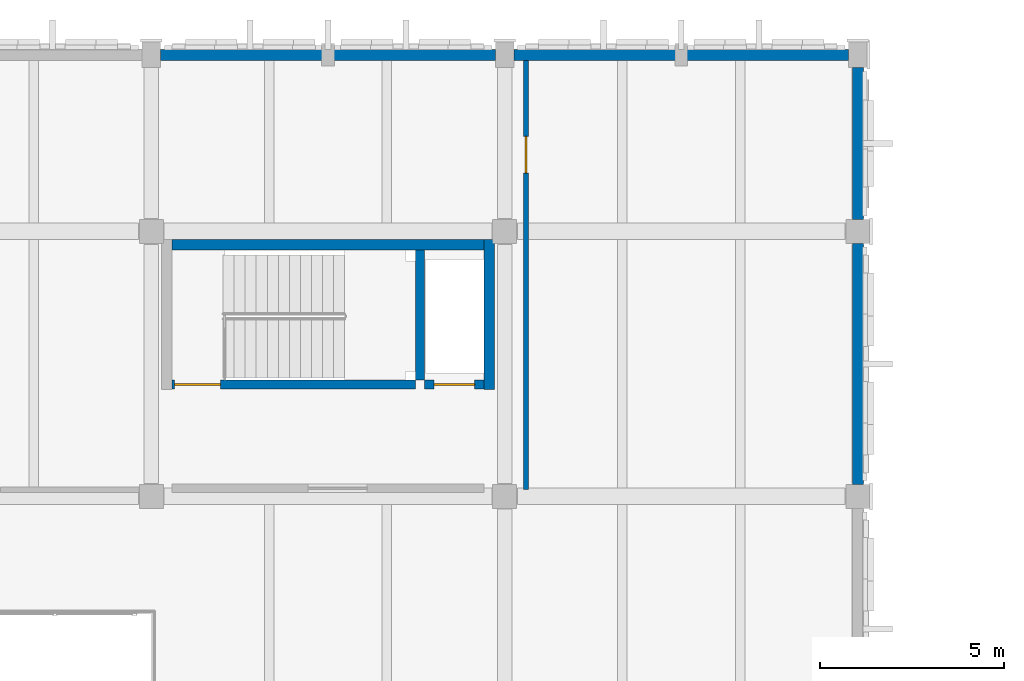
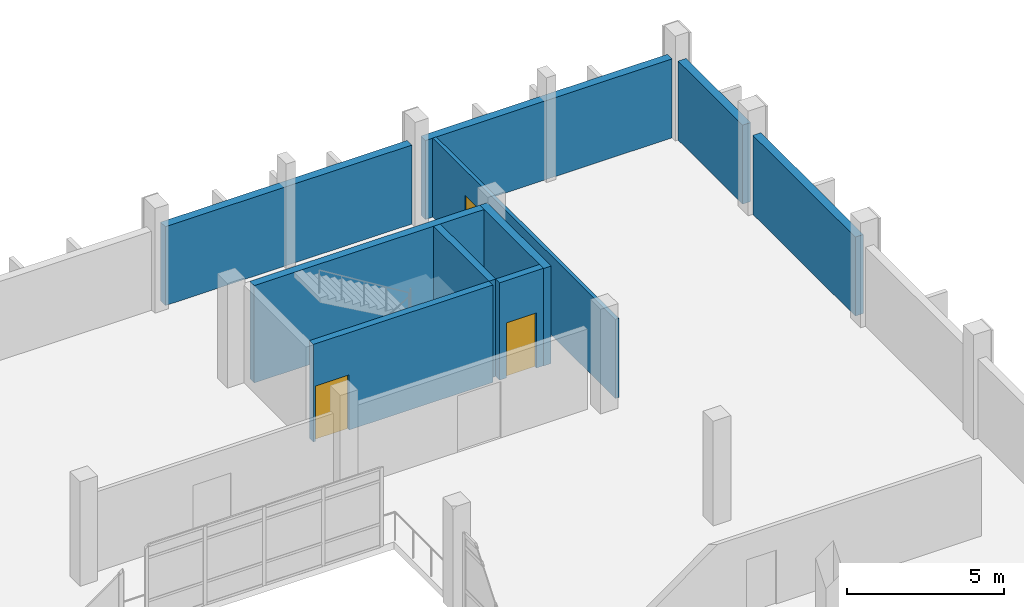
# One storey, part 57 of 72: 10 walls, 3 doors, 3 openings.
"""IFC4 building model written with IfcOpenShell, lengths in metres."""

from ifc_helpers import new_model, si_unit, direction, frame, frame_2d, origin, place, context, subcontext, project, spatial, rectangle, extrude, material, layer, layer_set, type_object, element, fill, save


model = new_model("IFC4")

# Units and contexts
model_context = context("Model", 3, precision=1e-05, world=origin(), true_north=direction((0.0, 1.0)))
body_context = subcontext(model_context, "Body", "Model", "MODEL_VIEW")
ifc_project = project(units=[si_unit("LENGTHUNIT", "METRE"), si_unit("AREAUNIT", "SQUARE_METRE"), si_unit("VOLUMEUNIT", "CUBIC_METRE"), si_unit("PLANEANGLEUNIT", "RADIAN"), si_unit("MASSUNIT", "GRAM", prefix="KILO")], contexts=[model_context])

# Site, building, storey
site_placement = place(None, origin())
site = spatial("IfcSite", under=ifc_project, at=site_placement, CompositionType="ELEMENT")
building_placement = place(site_placement, origin())
building = spatial("IfcBuilding", under=site, at=building_placement, Name="Asteropetra Specialist Clinic", CompositionType="ELEMENT")
storey_placement = place(building_placement, frame((0.0, 0.0, 12.580078125)))
storey = spatial("IfcBuildingStorey", under=building, at=storey_placement, Name="L03", CompositionType="ELEMENT", Elevation=12.580078125)

# Walls
ifc_material_1 = material(Name="Chevron terracotta mid", Category="masonry")
ifc_layer_1 = layer(ifc_material_1, 0.300048828125)
ifc_layer_set_1 = layer_set([ifc_layer_1], Name="Chevron terracotta mid")
wall_type_1 = type_object("IfcWallType", Name="EW-CHEV-TER-300", PredefinedType="SOLIDWALL", material=ifc_layer_set_1)
wall_1_placement = place(storey_placement, frame((38.14990234375, 110.39990234375, 0.0), z_axis=(0.0, 0.0, 1.0), x_axis=(-1.0, 0.0, 0.0)))
element("IfcWall", 1, at=wall_1_placement, inside=storey, type_object=wall_type_1, Name="Exterior Wall EW-0112", PredefinedType="SOLIDWALL", context=body_context, shape_type="SweptSolid", body=[
    extrude(rectangle(XDim=9.099853515625, YDim=0.300048828125, at=frame_2d((4.5498046875, 0.0))), origin(), (0.0, 0.0, 1.0), 3.079833984375),
])
wall_2_placement = place(storey_placement, frame((47.75, 110.39990234375, 0.0), z_axis=(0.0, 0.0, 1.0), x_axis=(-1.0, 0.0, 0.0)))
element("IfcWall", 2, at=wall_2_placement, inside=storey, type_object=wall_type_1, Name="Exterior Wall EW-0114", PredefinedType="SOLIDWALL", context=body_context, shape_type="SweptSolid", body=[
    extrude(rectangle(XDim=9.10009765625, YDim=0.300048828125, at=frame_2d((4.550048828125, 0.0))), origin(), (0.0, 0.0, 1.0), 3.079833984375),
])
wall_3_placement = place(storey_placement, frame((48.0, 98.72509765625, 0.0), z_axis=(0.0, 0.0, 1.0), x_axis=(0.0, 1.0, 0.0)))
element("IfcWall", 3, at=wall_3_placement, inside=storey, type_object=wall_type_1, Name="Exterior Wall EW-0124", PredefinedType="SOLIDWALL", context=body_context, shape_type="SweptSolid", body=[
    extrude(rectangle(XDim=6.5498046875, YDim=0.300048828125, at=frame_2d((3.27490234375, 0.0))), origin(), (0.0, 0.0, 1.0), 3.079833984375),
])
wall_4_placement = place(storey_placement, frame((48.0, 105.925048828125, 0.0), z_axis=(0.0, 0.0, 1.0), x_axis=(0.0, 1.0, 0.0)))
element("IfcWall", 4, at=wall_4_placement, inside=storey, type_object=wall_type_1, Name="Exterior Wall EW-0126", PredefinedType="SOLIDWALL", context=body_context, shape_type="SweptSolid", body=[
    extrude(rectangle(XDim=4.125, YDim=0.300048828125, at=frame_2d((2.0625, 0.0))), origin(), (0.0, 0.0, 1.0), 3.079833984375),
])
ifc_material_2 = material(Name="Concrete C35/45", Category="concrete")
ifc_layer_2 = layer(ifc_material_2, 0.280029296875)
ifc_layer_set_2 = layer_set([ifc_layer_2], Name="Concrete C35/45")
wall_type_2 = type_object("IfcWallType", Name="W-CORE-280", PredefinedType="SHEAR", material=ifc_layer_set_2)
wall_5_placement = place(storey_placement, frame((37.97998046875, 101.300048828125, 0.0), z_axis=(0.0, 0.0, 1.0), x_axis=(0.0, 1.0, 0.0)))
element("IfcWall", 5, at=wall_5_placement, inside=storey, type_object=wall_type_2, Name="Core Wall CW-C2-L03-E", PredefinedType="SHEAR", context=body_context, shape_type="SweptSolid", body=[
    extrude(rectangle(XDim=4.079833984375, YDim=0.280029296875, at=frame_2d((2.0400390625, 0.0))), origin(), (0.0, 0.0, 1.0), 3.7998046875),
])
wall_6_placement = place(storey_placement, frame((29.35498046875, 105.239990234375, 0.0), z_axis=(0.0, 0.0, 1.0), x_axis=(1.0, 0.0, 0.0)))
element("IfcWall", 6, at=wall_6_placement, inside=storey, type_object=wall_type_2, Name="Core Wall CW-C2-L03-BACK", PredefinedType="SHEAR", context=body_context, shape_type="SweptSolid", body=[
    extrude(rectangle(XDim=8.489990234375, YDim=0.280029296875, at=frame_2d((4.2451171875, 0.0))), origin(), (0.0, 0.0, 1.0), 3.7998046875),
])

# Wall, opening, door
ifc_material_3 = material(Name="Office and seminar partition", Category="masonry")
ifc_layer_3 = layer(ifc_material_3, 0.1298828125)
ifc_layer_set_3 = layer_set([ifc_layer_3], Name="Office and seminar partition")
wall_type_3 = type_object("IfcWallType", Name="W-PART-130", PredefinedType="PARTITIONING", material=ifc_layer_set_3)
wall_7_placement = place(storey_placement, frame((38.97998046875, 98.580078125, 0.0), z_axis=(0.0, 0.0, 1.0), x_axis=(0.0, 1.0, 0.0)))
wall_7 = element("IfcWall", 7, at=wall_7_placement, inside=storey, type_object=wall_type_3, Name="Interior Partition PW-0153", PredefinedType="PARTITIONING", context=body_context, shape_type="SweptSolid", body=[
    extrude(rectangle(XDim=11.66796875, YDim=0.1298828125, at=frame_2d((5.833984375, 0.0))), origin(), (0.0, 0.0, 1.0), 3.08984375),
])
opening_1_placement = place(wall_7_placement, frame((8.60107421875, 0.0, 0.0)))
opening_1 = element("IfcOpeningElement", 8, at=opening_1_placement, cuts=wall_7, Name="Opening ID-0101", PredefinedType="OPENING", context=body_context, shape_type="SweptSolid", body=[
    extrude(rectangle(XDim=1.0, YDim=2.10009765625, at=frame_2d((0.5, 1.050048828125))), frame((0.0, 0.074951171875, 0.0), z_axis=(0.0, -1.0, 0.0), x_axis=(1.0, 0.0, 0.0)), (0.0, 0.0, 1.0), 0.14990234375),
])
ifc_material_4 = material(Name="Antimicrobial laminate timber leaf in steel frame", Category="steel")
door_type_1 = type_object("IfcDoorType", Name="ID-CONS-1000", OperationType="SINGLE_SWING_RIGHT", PredefinedType="DOOR", material=ifc_material_4)
door_1_placement = place(opening_1_placement, origin())
door_1 = element("IfcDoor", 9, at=door_1_placement, inside=storey, type_object=door_type_1, Name="Interior Door ID-0101", OperationType="SINGLE_SWING_RIGHT", OverallHeight=2.10009765625, OverallWidth=1.0, PredefinedType="DOOR", context=body_context, shape_type="SweptSolid", body=[
    extrude(rectangle(XDim=1.0, YDim=2.10009765625, at=frame_2d((0.5, 1.050048828125))), frame((0.0, 0.02490234375, 0.0), z_axis=(0.0, -1.0, 0.0), x_axis=(1.0, 0.0, 0.0)), (0.0, 0.0, 1.0), 0.050048828125),
])
fill(opening_1, door_1)

# Wall
ifc_material_5 = material(Name="Concrete C35/45", Category="concrete")
ifc_layer_4 = layer(ifc_material_5, 0.25)
ifc_layer_set_4 = layer_set([ifc_layer_4], Name="Concrete C35/45")
wall_type_4 = type_object("IfcWallType", Name="W-SHAFT-250", PredefinedType="SHEAR", material=ifc_layer_set_4)
wall_8_placement = place(storey_placement, frame((36.10009765625, 101.56005859375, 0.0), z_axis=(0.0, 0.0, 1.0), x_axis=(0.0, 1.0, 0.0)))
element("IfcWall", 10, at=wall_8_placement, inside=storey, type_object=wall_type_4, Name="Core Wall CW-C2-L03-MID", PredefinedType="SHEAR", context=body_context, shape_type="SweptSolid", body=[
    extrude(rectangle(XDim=3.5400390625, YDim=0.25, at=frame_2d((1.77001953125, 0.0))), origin(), (0.0, 0.0, 1.0), 3.7998046875),
])

# Wall, opening, door
wall_9_placement = place(storey_placement, frame((29.35498046875, 101.43994140625, 0.0), z_axis=(0.0, 0.0, 1.0), x_axis=(1.0, 0.0, 0.0)))
wall_9 = element("IfcWall", 11, at=wall_9_placement, inside=storey, type_object=wall_type_4, Name="Core Wall CW-C2-L03-STDIV", PredefinedType="SHEAR", context=body_context, shape_type="SweptSolid", body=[
    extrude(rectangle(XDim=6.625, YDim=0.25, at=frame_2d((3.3125, 0.0))), origin(), (0.0, 0.0, 1.0), 3.7998046875),
])
opening_2_placement = place(wall_9_placement, frame((0.080078125, 0.0, 0.0)))
opening_2 = element("IfcOpeningElement", 12, at=opening_2_placement, cuts=wall_9, Name="Opening FD-019", PredefinedType="OPENING", context=body_context, shape_type="SweptSolid", body=[
    extrude(rectangle(XDim=1.239990234375, YDim=2.14990234375, at=frame_2d((0.6201171875, 1.074951171875))), frame((0.0, 0.135009765625, 0.0), z_axis=(0.0, -1.0, 0.0), x_axis=(1.0, 0.0, 0.0)), (0.0, 0.0, 1.0), 0.27001953125),
])
ifc_material_6 = material(Name="Fire-rated steel and vision glass door", Category="steel")
door_type_2 = type_object("IfcDoorType", Name="FD-STAIR-1400", OperationType="DOUBLE_DOOR_SINGLE_SWING", PredefinedType="DOOR", material=ifc_material_6)
door_2_placement = place(opening_2_placement, origin())
door_2 = element("IfcDoor", 13, at=door_2_placement, inside=storey, type_object=door_type_2, Name="Stair Fire Door FD-019", OperationType="DOUBLE_DOOR_SINGLE_SWING", OverallHeight=2.14990234375, OverallWidth=1.239990234375, PredefinedType="DOOR", context=body_context, shape_type="SweptSolid", body=[
    extrude(rectangle(XDim=1.239990234375, YDim=2.14990234375, at=frame_2d((0.6201171875, 1.074951171875))), frame((0.0, 0.02490234375, 0.0), z_axis=(0.0, -1.0, 0.0), x_axis=(1.0, 0.0, 0.0)), (0.0, 0.0, 1.0), 0.050048828125),
])
fill(opening_2, door_2)

wall_10_placement = place(storey_placement, frame((36.219970703125, 101.43994140625, 0.0), z_axis=(0.0, 0.0, 1.0), x_axis=(1.0, 0.0, 0.0)))
wall_10 = element("IfcWall", 14, at=wall_10_placement, inside=storey, type_object=wall_type_4, Name="Lift Shaft Front Wall CW-C2-L03-LFTF", PredefinedType="SHEAR", context=body_context, shape_type="SweptSolid", body=[
    extrude(rectangle(XDim=1.625, YDim=0.25, at=frame_2d((0.8125, 0.0))), origin(), (0.0, 0.0, 1.0), 3.7998046875),
])
opening_3_placement = place(wall_10_placement, frame((0.262451171875, 0.0, 0.0)))
opening_3 = element("IfcOpeningElement", 15, at=opening_3_placement, cuts=wall_10, Name="Opening LD-010", PredefinedType="OPENING", context=body_context, shape_type="SweptSolid", body=[
    extrude(rectangle(XDim=1.10009765625, YDim=2.14990234375, at=frame_2d((0.550048828125, 1.074951171875))), frame((0.0, 0.135009765625, 0.0), z_axis=(0.0, -1.0, 0.0), x_axis=(1.0, 0.0, 0.0)), (0.0, 0.0, 1.0), 0.27001953125),
])
ifc_material_7 = material(Name="Brushed stainless steel sliding lift landing door", Category="steel")
door_type_3 = type_object("IfcDoorType", Name="LD-PASS-1100", OperationType="DOUBLE_DOOR_SLIDING", PredefinedType="DOOR", material=ifc_material_7)
door_3_placement = place(opening_3_placement, origin())
door_3 = element("IfcDoor", 16, at=door_3_placement, inside=storey, type_object=door_type_3, Name="Lift Landing Door LD-010", OperationType="DOUBLE_DOOR_SLIDING", OverallHeight=2.14990234375, OverallWidth=1.10009765625, PredefinedType="DOOR", context=body_context, shape_type="SweptSolid", body=[
    extrude(rectangle(XDim=1.10009765625, YDim=2.14990234375, at=frame_2d((0.550048828125, 1.074951171875))), frame((0.0, 0.02490234375, 0.0), z_axis=(0.0, -1.0, 0.0), x_axis=(1.0, 0.0, 0.0)), (0.0, 0.0, 1.0), 0.050048828125),
])
fill(opening_3, door_3)

save(model, "model.ifc")
